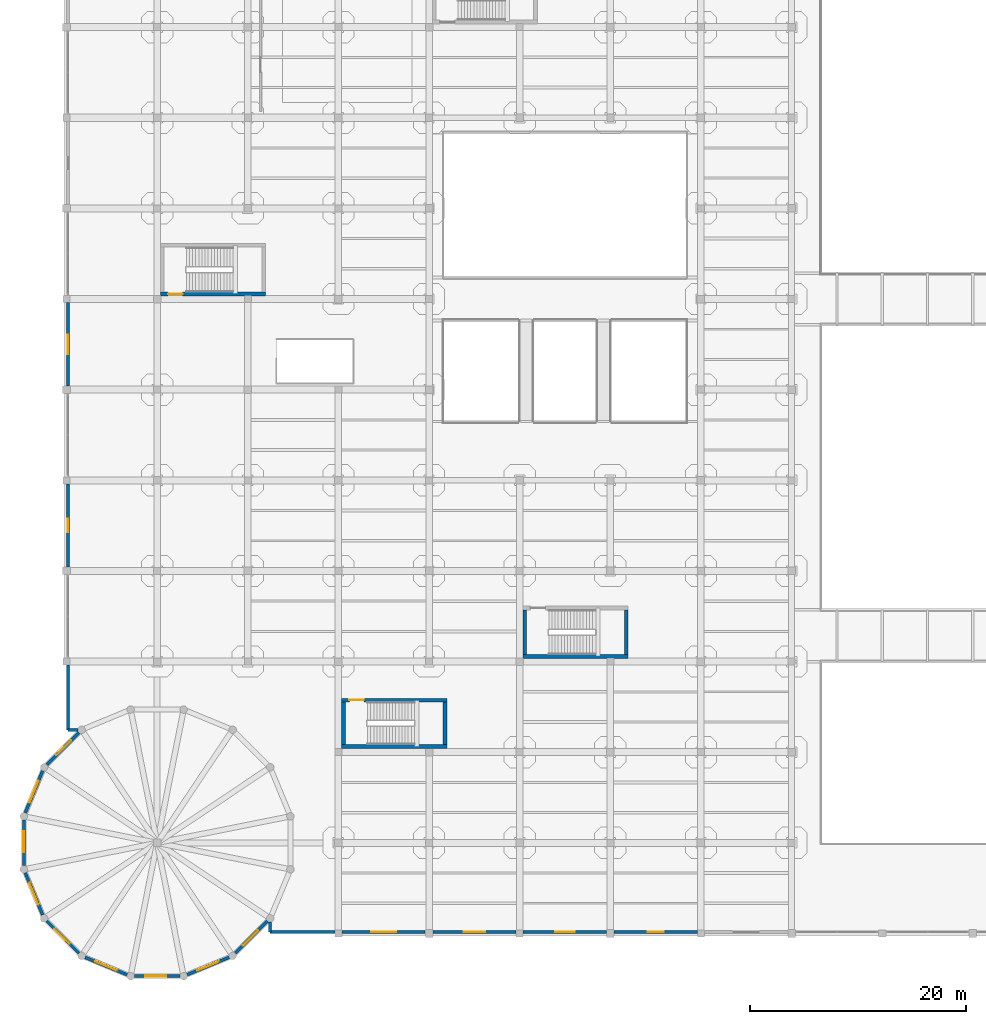
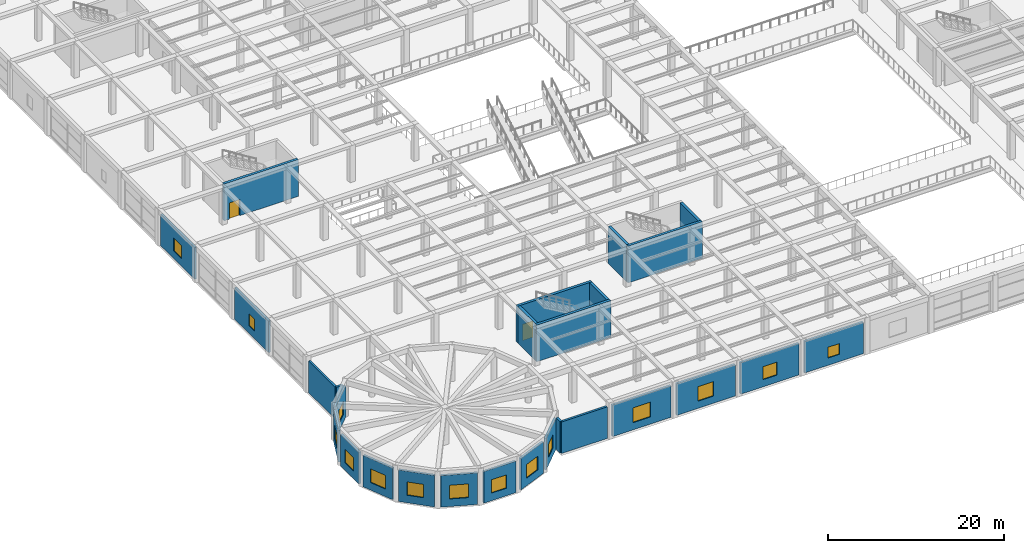
# One storey, part 47 of 65: 27 walls, 15 windows, 2 doors, 17 openings.
"""IFC4 building model written with IfcOpenShell, lengths in metres."""

from ifc_helpers import new_model, si_unit, direction, frame, frame_2d, origin, place, context, subcontext, project, spatial, rectangle, extrude, material, layer, layer_set, type_object, element, fill, save


model = new_model("IFC4")

# Units and contexts
model_context = context("Model", 3, precision=1e-05, world=origin(), true_north=direction((0.0, 1.0)))
body_context = subcontext(model_context, "Body", "Model", "MODEL_VIEW")
ifc_project = project(units=[si_unit("LENGTHUNIT", "METRE"), si_unit("AREAUNIT", "SQUARE_METRE"), si_unit("VOLUMEUNIT", "CUBIC_METRE"), si_unit("PLANEANGLEUNIT", "RADIAN"), si_unit("MASSUNIT", "GRAM", prefix="KILO")], contexts=[model_context])

# Site, building, storey
site_placement = place(None, origin())
site = spatial("IfcSite", under=ifc_project, at=site_placement, CompositionType="ELEMENT")
building_placement = place(site_placement, origin())
building = spatial("IfcBuilding", under=site, at=building_placement, Name="Almacenes y Pasaje Nevantli", CompositionType="ELEMENT")
storey_placement = place(building_placement, frame((0.0, 0.0, 16.800048828125)))
storey = spatial("IfcBuildingStorey", under=building, at=storey_placement, Name="L04", CompositionType="ELEMENT", Elevation=16.800048828125)

# Wall
ifc_material_1 = material(Name="Concrete C45/55", Category="concrete")
ifc_layer_1 = layer(ifc_material_1, 0.35009765625)
ifc_layer_set_1 = layer_set([ifc_layer_1], Name="Concrete C45/55")
wall_type_1 = type_object("IfcWallType", Name="WL-CORE-350", PredefinedType="SHEAR", material=ifc_layer_set_1)
wall_1_placement = place(storey_placement, frame((25.5, 17.324951171875, 0.0), z_axis=(0.0, 0.0, 1.0), x_axis=(1.0, 0.0, 0.0)))
element("IfcWall", 1, at=wall_1_placement, inside=storey, type_object=wall_type_1, Name="L04 Exit Stair ST-04 South Core Shear Wall", PredefinedType="SHEAR", context=body_context, shape_type="SweptSolid", body=[
    extrude(rectangle(XDim=9.75, YDim=0.35009765625, at=frame_2d((4.875, 0.0))), origin(), (0.0, 0.0, 1.0), 5.099853515625),
])

# Wall, opening, door
wall_2_placement = place(storey_placement, frame((25.5, 21.625, 0.0), z_axis=(0.0, 0.0, 1.0), x_axis=(1.0, 0.0, 0.0)))
wall_2 = element("IfcWall", 2, at=wall_2_placement, inside=storey, type_object=wall_type_1, Name="L04 Exit Stair ST-04 North Core Shear Wall", PredefinedType="SHEAR", context=body_context, shape_type="SweptSolid", body=[
    extrude(rectangle(XDim=9.75, YDim=0.35009765625, at=frame_2d((4.875, 0.0))), origin(), (0.0, 0.0, 1.0), 5.099853515625),
])
opening_1_placement = place(wall_2_placement, frame((0.719970703125, 0.0, 0.0)))
opening_1 = element("IfcOpeningElement", 3, at=opening_1_placement, cuts=wall_2, Name="Opening SD-04-L04", PredefinedType="OPENING", context=body_context, shape_type="SweptSolid", body=[
    extrude(rectangle(XDim=1.35009765625, YDim=2.25, at=frame_2d((0.675048828125, 1.125))), frame((0.0, 0.18505859375, 0.0), z_axis=(0.0, -1.0, 0.0), x_axis=(1.0, 0.0, 0.0)), (0.0, 0.0, 1.0), 0.3701171875),
])
ifc_material_2 = material(Name="Galvanized Fire-Rated Steel", Category="steel")
door_type = type_object("IfcDoorType", Name="DR-STAIR-1350R", OperationType="SINGLE_SWING_RIGHT", PredefinedType="DOOR", material=ifc_material_2)
door_1_placement = place(opening_1_placement, origin())
door_1 = element("IfcDoor", 4, at=door_1_placement, inside=storey, type_object=door_type, Name="L04 Smokeproof Exit Stair ST-04 Fire Door", OperationType="SINGLE_SWING_RIGHT", OverallHeight=2.25, OverallWidth=1.35009765625, PredefinedType="DOOR", context=body_context, shape_type="SweptSolid", body=[
    extrude(rectangle(XDim=1.35009765625, YDim=2.25, at=frame_2d((0.675048828125, 1.125))), frame((0.0, 0.02490234375, 0.0), z_axis=(0.0, -1.0, 0.0), x_axis=(1.0, 0.0, 0.0)), (0.0, 0.0, 1.0), 0.050048828125),
])
fill(opening_1, door_1)

# Walls
for number, where, z_axis, x_axis, name in (
    (5, (25.675048828125, 17.5, 0.0), (0.0, 0.0, 1.0), (0.0, 1.0, 0.0), "L04 Exit Stair ST-04 West Core Shear Wall"),
    (6, (35.074951171875, 17.5, 0.0), (0.0, 0.0, 1.0), (0.0, 1.0, 0.0), "L04 Exit Stair ST-04 East Core Shear Wall"),
):
    element("IfcWall", number, at=place(storey_placement, frame(where, z_axis=z_axis, x_axis=x_axis)), inside=storey, type_object=wall_type_1, Name=name, PredefinedType="SHEAR", context=body_context, shape_type="SweptSolid", body=[
        extrude(rectangle(XDim=3.949951171875, YDim=0.35009765625, at=frame_2d((1.97509765625, 0.0))), origin(), (0.0, 0.0, 1.0), 5.099853515625),
    ])

# Wall, opening, door
wall_3_placement = place(storey_placement, frame((8.699951171875, 59.27490234375, 0.0), z_axis=(0.0, 0.0, 1.0), x_axis=(1.0, 0.0, 0.0)))
wall_3 = element("IfcWall", 7, at=wall_3_placement, inside=storey, type_object=wall_type_1, Name="L04 Exit Stair ST-12 South Core Shear Wall", PredefinedType="SHEAR", context=body_context, shape_type="SweptSolid", body=[
    extrude(rectangle(XDim=9.75, YDim=0.35009765625, at=frame_2d((4.875, 0.0))), origin(), (0.0, 0.0, 1.0), 5.099853515625),
])
opening_2_placement = place(wall_3_placement, frame((0.719970703125, 0.0, 0.0)))
opening_2 = element("IfcOpeningElement", 8, at=opening_2_placement, cuts=wall_3, Name="Opening SD-12-L04", PredefinedType="OPENING", context=body_context, shape_type="SweptSolid", body=[
    extrude(rectangle(XDim=1.35009765625, YDim=2.25, at=frame_2d((0.675048828125, 1.125))), frame((0.0, 0.18505859375, 0.0), z_axis=(0.0, -1.0, 0.0), x_axis=(1.0, 0.0, 0.0)), (0.0, 0.0, 1.0), 0.3701171875),
])
door_2_placement = place(opening_2_placement, origin())
door_2 = element("IfcDoor", 9, at=door_2_placement, inside=storey, type_object=door_type, Name="L04 Smokeproof Exit Stair ST-12 Fire Door", OperationType="SINGLE_SWING_RIGHT", OverallHeight=2.25, OverallWidth=1.35009765625, PredefinedType="DOOR", context=body_context, shape_type="SweptSolid", body=[
    extrude(rectangle(XDim=1.35009765625, YDim=2.25, at=frame_2d((0.675048828125, 1.125))), frame((0.0, 0.02490234375, 0.0), z_axis=(0.0, -1.0, 0.0), x_axis=(1.0, 0.0, 0.0)), (0.0, 0.0, 1.0), 0.050048828125),
])
fill(opening_2, door_2)

# Walls
wall_4_placement = place(storey_placement, frame((42.300048828125, 25.675048828125, 0.0), z_axis=(0.0, 0.0, 1.0), x_axis=(1.0, 0.0, 0.0)))
element("IfcWall", 10, at=wall_4_placement, inside=storey, type_object=wall_type_1, Name="L04 Exit Stair ST-14 South Core Shear Wall", PredefinedType="SHEAR", context=body_context, shape_type="SweptSolid", body=[
    extrude(rectangle(XDim=9.75, YDim=0.35009765625, at=frame_2d((4.875, 0.0))), origin(), (0.0, 0.0, 1.0), 5.099853515625),
])
for number, where, z_axis, x_axis, name in (
    (11, (42.47509765625, 25.85009765625, 0.0), (0.0, 0.0, 1.0), (0.0, 1.0, 0.0), "L04 Exit Stair ST-14 West Core Shear Wall"),
    (12, (51.875, 25.85009765625, 0.0), (0.0, 0.0, 1.0), (0.0, 1.0, 0.0), "L04 Exit Stair ST-14 East Core Shear Wall"),
):
    element("IfcWall", number, at=place(storey_placement, frame(where, z_axis=z_axis, x_axis=x_axis)), inside=storey, type_object=wall_type_1, Name=name, PredefinedType="SHEAR", context=body_context, shape_type="SweptSolid", body=[
        extrude(rectangle(XDim=4.14990234375, YDim=0.35009765625, at=frame_2d((2.074951171875, 0.0))), origin(), (0.0, 0.0, 1.0), 5.099853515625),
    ])

# Wall, opening, window
ifc_material_3 = material(Name="Architectural Precast Concrete C35/45 Spandrel Wall", Category="concrete")
ifc_layer_2 = layer(ifc_material_3, 0.280029296875)
ifc_layer_set_2 = layer_set([ifc_layer_2], Name="Architectural Precast Concrete C35/45 Spandrel Wall")
wall_type_2 = type_object("IfcWallType", Name="WL-EXT-CANTERA-280", PredefinedType="SOLIDWALL", material=ifc_layer_set_2)
wall_5_placement = place(storey_placement, frame((25.528076171875, 0.14990234375, 0.0), z_axis=(0.0, 0.0, 1.0), x_axis=(1.0, 0.0, 0.0)))
wall_5 = element("IfcWall", 13, at=wall_5_placement, inside=storey, type_object=wall_type_2, Name="L04 South Retail Spandrel Wall Bay 4", PredefinedType="SOLIDWALL", context=body_context, shape_type="SweptSolid", body=[
    extrude(rectangle(XDim=7.719970703125, YDim=0.280029296875, at=frame_2d((3.85986328125, 0.0))), origin(), (0.0, 0.0, 1.0), 4.3798828125),
])
opening_3_placement = place(wall_5_placement, frame((2.721923828125, 0.0, 1.0)))
opening_3 = element("IfcOpeningElement", 14, at=opening_3_placement, cuts=wall_5, Name="Opening WT-14-145", PredefinedType="OPENING", context=body_context, shape_type="SweptSolid", body=[
    extrude(rectangle(XDim=2.300048828125, YDim=2.050048828125, at=frame_2d((1.14990234375, 1.02490234375))), frame((0.0, 0.14990234375, 0.0), z_axis=(0.0, -1.0, 0.0), x_axis=(1.0, 0.0, 0.0)), (0.0, 0.0, 1.0), 0.300048828125),
])
ifc_material_4 = material(Name="Thermally Broken Aluminium and Low-E Double Glazing", Category="aluminium")
window_type_1 = type_object("IfcWindowType", Name="WN-POD-2300x2050", PartitioningType="SINGLE_PANEL", PredefinedType="WINDOW", material=ifc_material_4)
window_1_placement = place(opening_3_placement, origin())
window_1 = element("IfcWindow", 15, at=window_1_placement, inside=storey, type_object=window_type_1, Name="L04 Exterior Window WT-14 #145", OverallHeight=2.050048828125, OverallWidth=2.300048828125, PartitioningType="SINGLE_PANEL", PredefinedType="WINDOW", context=body_context, shape_type="SweptSolid", body=[
    extrude(rectangle(XDim=2.300048828125, YDim=2.050048828125, at=frame_2d((1.14990234375, 1.02490234375))), frame((0.0, 0.030029296875, 0.0), z_axis=(0.0, -1.0, 0.0), x_axis=(1.0, 0.0, 0.0)), (0.0, 0.0, 1.0), 0.06005859375),
])
fill(opening_3, window_1)

wall_6_placement = place(storey_placement, frame((33.9541015625, 0.14990234375, 0.0), z_axis=(0.0, 0.0, 1.0), x_axis=(1.0, 0.0, 0.0)))
wall_6 = element("IfcWall", 16, at=wall_6_placement, inside=storey, type_object=wall_type_2, Name="L04 South Retail Spandrel Wall Bay 5", PredefinedType="SOLIDWALL", context=body_context, shape_type="SweptSolid", body=[
    extrude(rectangle(XDim=7.718017578125, YDim=0.280029296875, at=frame_2d((3.85888671875, 0.0))), origin(), (0.0, 0.0, 1.0), 4.3798828125),
])
opening_4_placement = place(wall_6_placement, frame((2.845947265625, 0.0, 1.0)))
opening_4 = element("IfcOpeningElement", 17, at=opening_4_placement, cuts=wall_6, Name="Opening WT-15-146", PredefinedType="OPENING", context=body_context, shape_type="SweptSolid", body=[
    extrude(rectangle(XDim=2.0, YDim=2.0, at=frame_2d((1.0, 1.0))), frame((0.0, 0.14990234375, 0.0), z_axis=(0.0, -1.0, 0.0), x_axis=(1.0, 0.0, 0.0)), (0.0, 0.0, 1.0), 0.300048828125),
])
ifc_material_5 = material(Name="Thermally Broken Aluminium and Low-E Double Glazing", Category="aluminium")
window_type_2 = type_object("IfcWindowType", Name="WN-POD-2000x2000", PartitioningType="SINGLE_PANEL", PredefinedType="WINDOW", material=ifc_material_5)
window_2_placement = place(opening_4_placement, origin())
window_2 = element("IfcWindow", 18, at=window_2_placement, inside=storey, type_object=window_type_2, Name="L04 Exterior Window WT-15 #146", OverallHeight=2.0, OverallWidth=2.0, PartitioningType="SINGLE_PANEL", PredefinedType="WINDOW", context=body_context, shape_type="SweptSolid", body=[
    extrude(rectangle(XDim=2.0, YDim=2.0, at=frame_2d((1.0, 1.0))), frame((0.0, 0.030029296875, 0.0), z_axis=(0.0, -1.0, 0.0), x_axis=(1.0, 0.0, 0.0)), (0.0, 0.0, 1.0), 0.06005859375),
])
fill(opening_4, window_2)

wall_7_placement = place(storey_placement, frame((42.327880859375, 0.14990234375, 0.0), z_axis=(0.0, 0.0, 1.0), x_axis=(1.0, 0.0, 0.0)))
wall_7 = element("IfcWall", 19, at=wall_7_placement, inside=storey, type_object=wall_type_2, Name="L04 South Retail Spandrel Wall Bay 6", PredefinedType="SOLIDWALL", context=body_context, shape_type="SweptSolid", body=[
    extrude(rectangle(XDim=7.718017578125, YDim=0.280029296875, at=frame_2d((3.85888671875, 0.0))), origin(), (0.0, 0.0, 1.0), 4.3798828125),
])
opening_5_placement = place(wall_7_placement, frame((2.971923828125, 0.0, 1.0)))
opening_5 = element("IfcOpeningElement", 20, at=opening_5_placement, cuts=wall_7, Name="Opening WT-07-147", PredefinedType="OPENING", context=body_context, shape_type="SweptSolid", body=[
    extrude(rectangle(XDim=1.800048828125, YDim=1.800048828125, at=frame_2d((0.89990234375, 0.89990234375))), frame((0.0, 0.14990234375, 0.0), z_axis=(0.0, -1.0, 0.0), x_axis=(1.0, 0.0, 0.0)), (0.0, 0.0, 1.0), 0.300048828125),
])
ifc_material_6 = material(Name="Thermally Broken Aluminium and Low-E Double Glazing", Category="aluminium")
window_type_3 = type_object("IfcWindowType", Name="WN-OCU-1800", PartitioningType="SINGLE_PANEL", PredefinedType="WINDOW", material=ifc_material_6)
window_3_placement = place(opening_5_placement, origin())
window_3 = element("IfcWindow", 21, at=window_3_placement, inside=storey, type_object=window_type_3, Name="L04 Exterior Window WT-07 #147", OverallHeight=1.800048828125, OverallWidth=1.800048828125, PartitioningType="SINGLE_PANEL", PredefinedType="WINDOW", context=body_context, shape_type="SweptSolid", body=[
    extrude(rectangle(XDim=1.800048828125, YDim=1.800048828125, at=frame_2d((0.89990234375, 0.89990234375))), frame((0.0, 0.030029296875, 0.0), z_axis=(0.0, -1.0, 0.0), x_axis=(1.0, 0.0, 0.0)), (0.0, 0.0, 1.0), 0.06005859375),
])
fill(opening_5, window_3)

wall_8_placement = place(storey_placement, frame((50.751953125, 0.14990234375, 0.0), z_axis=(0.0, 0.0, 1.0), x_axis=(1.0, 0.0, 0.0)))
wall_8 = element("IfcWall", 22, at=wall_8_placement, inside=storey, type_object=wall_type_2, Name="L04 South Retail Spandrel Wall Bay 7", PredefinedType="SOLIDWALL", context=body_context, shape_type="SweptSolid", body=[
    extrude(rectangle(XDim=7.719970703125, YDim=0.280029296875, at=frame_2d((3.85986328125, 0.0))), origin(), (0.0, 0.0, 1.0), 4.3798828125),
])
opening_6_placement = place(wall_8_placement, frame((3.097900390625, 0.0, 1.0)))
opening_6 = element("IfcOpeningElement", 23, at=opening_6_placement, cuts=wall_8, Name="Opening WT-08-148", PredefinedType="OPENING", context=body_context, shape_type="SweptSolid", body=[
    extrude(rectangle(XDim=1.5, YDim=1.5, at=frame_2d((0.75, 0.75))), frame((0.0, 0.14990234375, 0.0), z_axis=(0.0, -1.0, 0.0), x_axis=(1.0, 0.0, 0.0)), (0.0, 0.0, 1.0), 0.300048828125),
])
ifc_material_7 = material(Name="Thermally Broken Aluminium and Low-E Double Glazing", Category="aluminium")
window_type_4 = type_object("IfcWindowType", Name="WN-OCU-1500", PartitioningType="SINGLE_PANEL", PredefinedType="WINDOW", material=ifc_material_7)
window_4_placement = place(opening_6_placement, origin())
window_4 = element("IfcWindow", 24, at=window_4_placement, inside=storey, type_object=window_type_4, Name="L04 Exterior Window WT-08 #148", OverallHeight=1.5, OverallWidth=1.5, PartitioningType="SINGLE_PANEL", PredefinedType="WINDOW", context=body_context, shape_type="SweptSolid", body=[
    extrude(rectangle(XDim=1.5, YDim=1.5, at=frame_2d((0.75, 0.75))), frame((0.0, 0.030029296875, 0.0), z_axis=(0.0, -1.0, 0.0), x_axis=(1.0, 0.0, 0.0)), (0.0, 0.0, 1.0), 0.06005859375),
])
fill(opening_6, window_4)

wall_9_placement = place(storey_placement, frame((0.14990234375, 33.9541015625, 0.0), z_axis=(0.0, 0.0, 1.0), x_axis=(0.0, 1.0, 0.0)))
wall_9 = element("IfcWall", 25, at=wall_9_placement, inside=storey, type_object=wall_type_2, Name="L04 West Avenue Cantera Wall Bay 5", PredefinedType="SOLIDWALL", context=body_context, shape_type="SweptSolid", body=[
    extrude(rectangle(XDim=7.718017578125, YDim=0.280029296875, at=frame_2d((3.85888671875, 0.0))), origin(), (0.0, 0.0, 1.0), 4.3798828125),
])
opening_7_placement = place(wall_9_placement, frame((3.220947265625, 0.0, 1.050048828125)))
opening_7 = element("IfcOpeningElement", 26, at=opening_7_placement, cuts=wall_9, Name="Opening WT-18-159", PredefinedType="OPENING", context=body_context, shape_type="SweptSolid", body=[
    extrude(rectangle(XDim=1.25, YDim=1.64990234375, at=frame_2d((0.625, 0.824951171875))), frame((0.0, 0.14990234375, 0.0), z_axis=(0.0, -1.0, 0.0), x_axis=(1.0, 0.0, 0.0)), (0.0, 0.0, 1.0), 0.300048828125),
])
ifc_material_8 = material(Name="Thermally Broken Aluminium and Low-E Double Glazing", Category="aluminium")
window_type_5 = type_object("IfcWindowType", Name="WN-POD-1250x1650", PartitioningType="SINGLE_PANEL", PredefinedType="WINDOW", material=ifc_material_8)
window_5_placement = place(opening_7_placement, origin())
window_5 = element("IfcWindow", 27, at=window_5_placement, inside=storey, type_object=window_type_5, Name="L04 Exterior Window WT-18 #159", OverallHeight=1.64990234375, OverallWidth=1.25, PartitioningType="SINGLE_PANEL", PredefinedType="WINDOW", context=body_context, shape_type="SweptSolid", body=[
    extrude(rectangle(XDim=1.25, YDim=1.64990234375, at=frame_2d((0.625, 0.824951171875))), frame((0.0, 0.030029296875, 0.0), z_axis=(0.0, -1.0, 0.0), x_axis=(1.0, 0.0, 0.0)), (0.0, 0.0, 1.0), 0.06005859375),
])
fill(opening_7, window_5)

wall_10_placement = place(storey_placement, frame((0.14990234375, 50.751953125, 0.0), z_axis=(0.0, 0.0, 1.0), x_axis=(0.0, 1.0, 0.0)))
wall_10 = element("IfcWall", 28, at=wall_10_placement, inside=storey, type_object=wall_type_2, Name="L04 West Avenue Cantera Wall Bay 7", PredefinedType="SOLIDWALL", context=body_context, shape_type="SweptSolid", body=[
    extrude(rectangle(XDim=7.719970703125, YDim=0.280029296875, at=frame_2d((3.85986328125, 0.0))), origin(), (0.0, 0.0, 1.0), 4.3798828125),
])
opening_8_placement = place(wall_10_placement, frame((2.947998046875, 0.0, 1.050048828125)))
opening_8 = element("IfcOpeningElement", 29, at=opening_8_placement, cuts=wall_10, Name="Opening WT-07-160", PredefinedType="OPENING", context=body_context, shape_type="SweptSolid", body=[
    extrude(rectangle(XDim=1.800048828125, YDim=1.800048828125, at=frame_2d((0.89990234375, 0.89990234375))), frame((0.0, 0.14990234375, 0.0), z_axis=(0.0, -1.0, 0.0), x_axis=(1.0, 0.0, 0.0)), (0.0, 0.0, 1.0), 0.300048828125),
])
window_6_placement = place(opening_8_placement, origin())
window_6 = element("IfcWindow", 30, at=window_6_placement, inside=storey, type_object=window_type_3, Name="L04 Exterior Window WT-07 #160", OverallHeight=1.800048828125, OverallWidth=1.800048828125, PartitioningType="SINGLE_PANEL", PredefinedType="WINDOW", context=body_context, shape_type="SweptSolid", body=[
    extrude(rectangle(XDim=1.800048828125, YDim=1.800048828125, at=frame_2d((0.89990234375, 0.89990234375))), frame((0.0, 0.030029296875, 0.0), z_axis=(0.0, -1.0, 0.0), x_axis=(1.0, 0.0, 0.0)), (0.0, 0.0, 1.0), 0.06005859375),
])
fill(opening_8, window_6)

wall_11_placement = place(storey_placement, frame((1.15087890625, 18.627685546875, 0.0), z_axis=(0.0, 0.0, 1.0), x_axis=(-0.707106781187, -0.707106781187, 0.0)))
wall_11 = element("IfcWall", 31, at=wall_11_placement, inside=storey, type_object=wall_type_2, Name="L04 Corner Rotunda Cantera Drum Facet #6", PredefinedType="SOLIDWALL", context=body_context, shape_type="SweptSolid", body=[
    extrude(rectangle(XDim=4.212158203125, YDim=0.280029296875, at=frame_2d((2.10595703125, 0.0))), origin(), (0.0, 0.0, 1.0), 4.3798828125),
])
opening_9_placement = place(wall_11_placement, frame((1.01806640625, 0.0, 1.050048828125)))
opening_9 = element("IfcOpeningElement", 32, at=opening_9_placement, cuts=wall_11, Name="Opening WT-37-174", PredefinedType="OPENING", context=body_context, shape_type="SweptSolid", body=[
    extrude(rectangle(XDim=1.949951171875, YDim=1.85009765625, at=frame_2d((0.97509765625, 0.925048828125))), frame((0.0, 0.14990234375, 0.0), z_axis=(0.0, -1.0, 0.0), x_axis=(1.0, 0.0, 0.0)), (0.0, 0.0, 1.0), 0.300048828125),
])
ifc_material_9 = material(Name="Thermally Broken Aluminium and Low-E Double Glazing", Category="aluminium")
window_type_6 = type_object("IfcWindowType", Name="WN-ROT-1950x1850", PartitioningType="SINGLE_PANEL", PredefinedType="WINDOW", material=ifc_material_9)
window_7_placement = place(opening_9_placement, origin())
window_7 = element("IfcWindow", 33, at=window_7_placement, inside=storey, type_object=window_type_6, Name="L04 Exterior Window WT-37 #174", OverallHeight=1.85009765625, OverallWidth=1.949951171875, PartitioningType="SINGLE_PANEL", PredefinedType="WINDOW", context=body_context, shape_type="SweptSolid", body=[
    extrude(rectangle(XDim=1.949951171875, YDim=1.85009765625, at=frame_2d((0.97509765625, 0.925048828125))), frame((0.0, 0.030029296875, 0.0), z_axis=(0.0, -1.0, 0.0), x_axis=(1.0, 0.0, 0.0)), (0.0, 0.0, 1.0), 0.06005859375),
])
fill(opening_9, window_7)

wall_12_placement = place(storey_placement, frame((-2.2119140625, 15.0732421875, 0.0), z_axis=(0.0, 0.0, 1.0), x_axis=(-0.382700027893, -0.923872658244, 0.0)))
wall_12 = element("IfcWall", 34, at=wall_12_placement, inside=storey, type_object=wall_type_2, Name="L04 Corner Rotunda Cantera Drum Facet #7", PredefinedType="SOLIDWALL", context=body_context, shape_type="SweptSolid", body=[
    extrude(rectangle(XDim=4.21044921875, YDim=0.280029296875, at=frame_2d((2.105224609375, 0.0))), origin(), (0.0, 0.0, 1.0), 4.3798828125),
])
opening_10_placement = place(wall_12_placement, frame((1.01611328125, 0.0, 1.050048828125)))
opening_10 = element("IfcOpeningElement", 35, at=opening_10_placement, cuts=wall_12, Name="Opening WT-36-175", PredefinedType="OPENING", context=body_context, shape_type="SweptSolid", body=[
    extrude(rectangle(XDim=2.14990234375, YDim=1.89990234375, at=frame_2d((1.074951171875, 0.949951171875))), frame((0.0, 0.14990234375, 0.0), z_axis=(0.0, -1.0, 0.0), x_axis=(1.0, 0.0, 0.0)), (0.0, 0.0, 1.0), 0.300048828125),
])
ifc_material_10 = material(Name="Thermally Broken Aluminium and Low-E Double Glazing", Category="aluminium")
window_type_7 = type_object("IfcWindowType", Name="WN-ROT-2150x1900", PartitioningType="SINGLE_PANEL", PredefinedType="WINDOW", material=ifc_material_10)
window_8_placement = place(opening_10_placement, origin())
window_8 = element("IfcWindow", 36, at=window_8_placement, inside=storey, type_object=window_type_7, Name="L04 Exterior Window WT-36 #175", OverallHeight=1.89990234375, OverallWidth=2.14990234375, PartitioningType="SINGLE_PANEL", PredefinedType="WINDOW", context=body_context, shape_type="SweptSolid", body=[
    extrude(rectangle(XDim=2.14990234375, YDim=1.89990234375, at=frame_2d((1.074951171875, 0.949951171875))), frame((0.0, 0.030029296875, 0.0), z_axis=(0.0, -1.0, 0.0), x_axis=(1.0, 0.0, 0.0)), (0.0, 0.0, 1.0), 0.06005859375),
])
fill(opening_10, window_8)

wall_13_placement = place(storey_placement, frame((-3.9580078125, 10.506103515625, 0.0), z_axis=(0.0, 0.0, 1.0), x_axis=(0.0, -1.0, 0.0)))
wall_13 = element("IfcWall", 37, at=wall_13_placement, inside=storey, type_object=wall_type_2, Name="L04 Corner Rotunda Cantera Drum Facet #8", PredefinedType="SOLIDWALL", context=body_context, shape_type="SweptSolid", body=[
    extrude(rectangle(XDim=4.212158203125, YDim=0.280029296875, at=frame_2d((2.10595703125, 0.0))), origin(), (0.0, 0.0, 1.0), 4.3798828125),
])
opening_11_placement = place(wall_13_placement, frame((1.01806640625, 0.0, 1.050048828125)))
opening_11 = element("IfcOpeningElement", 38, at=opening_11_placement, cuts=wall_13, Name="Opening WT-37-176", PredefinedType="OPENING", context=body_context, shape_type="SweptSolid", body=[
    extrude(rectangle(XDim=1.949951171875, YDim=1.85009765625, at=frame_2d((0.97509765625, 0.925048828125))), frame((0.0, 0.14990234375, 0.0), z_axis=(0.0, -1.0, 0.0), x_axis=(1.0, 0.0, 0.0)), (0.0, 0.0, 1.0), 0.300048828125),
])
window_9_placement = place(opening_11_placement, origin())
window_9 = element("IfcWindow", 39, at=window_9_placement, inside=storey, type_object=window_type_6, Name="L04 Exterior Window WT-37 #176", OverallHeight=1.85009765625, OverallWidth=1.949951171875, PartitioningType="SINGLE_PANEL", PredefinedType="WINDOW", context=body_context, shape_type="SweptSolid", body=[
    extrude(rectangle(XDim=1.949951171875, YDim=1.85009765625, at=frame_2d((0.97509765625, 0.925048828125))), frame((0.0, 0.030029296875, 0.0), z_axis=(0.0, -1.0, 0.0), x_axis=(1.0, 0.0, 0.0)), (0.0, 0.0, 1.0), 0.06005859375),
])
fill(opening_11, window_9)

wall_14_placement = place(storey_placement, frame((-3.8232421875, 5.61669921875, 0.0), z_axis=(0.0, 0.0, 1.0), x_axis=(0.382700027893, -0.923872658244, 0.0)))
wall_14 = element("IfcWall", 40, at=wall_14_placement, inside=storey, type_object=wall_type_2, Name="L04 Corner Rotunda Cantera Drum Facet #9", PredefinedType="SOLIDWALL", context=body_context, shape_type="SweptSolid", body=[
    extrude(rectangle(XDim=4.21044921875, YDim=0.280029296875, at=frame_2d((2.105224609375, 0.0))), origin(), (0.0, 0.0, 1.0), 4.3798828125),
])
opening_12_placement = place(wall_14_placement, frame((1.01806640625, 0.0, 1.050048828125)))
opening_12 = element("IfcOpeningElement", 41, at=opening_12_placement, cuts=wall_14, Name="Opening WT-36-177", PredefinedType="OPENING", context=body_context, shape_type="SweptSolid", body=[
    extrude(rectangle(XDim=2.14990234375, YDim=1.89990234375, at=frame_2d((1.074951171875, 0.949951171875))), frame((0.0, 0.14990234375, 0.0), z_axis=(0.0, -1.0, 0.0), x_axis=(1.0, 0.0, 0.0)), (0.0, 0.0, 1.0), 0.300048828125),
])
window_10_placement = place(opening_12_placement, origin())
window_10 = element("IfcWindow", 42, at=window_10_placement, inside=storey, type_object=window_type_7, Name="L04 Exterior Window WT-36 #177", OverallHeight=1.89990234375, OverallWidth=2.14990234375, PartitioningType="SINGLE_PANEL", PredefinedType="WINDOW", context=body_context, shape_type="SweptSolid", body=[
    extrude(rectangle(XDim=2.14990234375, YDim=1.89990234375, at=frame_2d((1.074951171875, 0.949951171875))), frame((0.0, 0.030029296875, 0.0), z_axis=(0.0, -1.0, 0.0), x_axis=(1.0, 0.0, 0.0)), (0.0, 0.0, 1.0), 0.06005859375),
])
fill(opening_12, window_10)

wall_15_placement = place(storey_placement, frame((-1.82763671875, 1.15087890625, 0.0), z_axis=(0.0, 0.0, 1.0), x_axis=(0.707106781187, -0.707106781187, 0.0)))
wall_15 = element("IfcWall", 43, at=wall_15_placement, inside=storey, type_object=wall_type_2, Name="L04 Corner Rotunda Cantera Drum Facet #10", PredefinedType="SOLIDWALL", context=body_context, shape_type="SweptSolid", body=[
    extrude(rectangle(XDim=4.212158203125, YDim=0.280029296875, at=frame_2d((2.10595703125, 0.0))), origin(), (0.0, 0.0, 1.0), 4.3798828125),
])
opening_13_placement = place(wall_15_placement, frame((1.01806640625, 0.0, 1.050048828125)))
opening_13 = element("IfcOpeningElement", 44, at=opening_13_placement, cuts=wall_15, Name="Opening WT-37-178", PredefinedType="OPENING", context=body_context, shape_type="SweptSolid", body=[
    extrude(rectangle(XDim=1.949951171875, YDim=1.85009765625, at=frame_2d((0.97509765625, 0.925048828125))), frame((0.0, 0.14990234375, 0.0), z_axis=(0.0, -1.0, 0.0), x_axis=(1.0, 0.0, 0.0)), (0.0, 0.0, 1.0), 0.300048828125),
])
window_11_placement = place(opening_13_placement, origin())
window_11 = element("IfcWindow", 45, at=window_11_placement, inside=storey, type_object=window_type_6, Name="L04 Exterior Window WT-37 #178", OverallHeight=1.85009765625, OverallWidth=1.949951171875, PartitioningType="SINGLE_PANEL", PredefinedType="WINDOW", context=body_context, shape_type="SweptSolid", body=[
    extrude(rectangle(XDim=1.949951171875, YDim=1.85009765625, at=frame_2d((0.97509765625, 0.925048828125))), frame((0.0, 0.030029296875, 0.0), z_axis=(0.0, -1.0, 0.0), x_axis=(1.0, 0.0, 0.0)), (0.0, 0.0, 1.0), 0.06005859375),
])
fill(opening_13, window_11)

wall_16_placement = place(storey_placement, frame((1.726806640625, -2.2119140625, 0.0), z_axis=(0.0, 0.0, 1.0), x_axis=(0.923872658244, -0.382700027893, 0.0)))
wall_16 = element("IfcWall", 46, at=wall_16_placement, inside=storey, type_object=wall_type_2, Name="L04 Corner Rotunda Cantera Drum Facet #11", PredefinedType="SOLIDWALL", context=body_context, shape_type="SweptSolid", body=[
    extrude(rectangle(XDim=4.21044921875, YDim=0.280029296875, at=frame_2d((2.105224609375, 0.0))), origin(), (0.0, 0.0, 1.0), 4.3798828125),
])
opening_14_placement = place(wall_16_placement, frame((1.01611328125, 0.0, 1.050048828125)))
opening_14 = element("IfcOpeningElement", 47, at=opening_14_placement, cuts=wall_16, Name="Opening WT-36-179", PredefinedType="OPENING", context=body_context, shape_type="SweptSolid", body=[
    extrude(rectangle(XDim=2.14990234375, YDim=1.89990234375, at=frame_2d((1.074951171875, 0.949951171875))), frame((0.0, 0.14990234375, 0.0), z_axis=(0.0, -1.0, 0.0), x_axis=(1.0, 0.0, 0.0)), (0.0, 0.0, 1.0), 0.300048828125),
])
window_12_placement = place(opening_14_placement, origin())
window_12 = element("IfcWindow", 48, at=window_12_placement, inside=storey, type_object=window_type_7, Name="L04 Exterior Window WT-36 #179", OverallHeight=1.89990234375, OverallWidth=2.14990234375, PartitioningType="SINGLE_PANEL", PredefinedType="WINDOW", context=body_context, shape_type="SweptSolid", body=[
    extrude(rectangle(XDim=2.14990234375, YDim=1.89990234375, at=frame_2d((1.074951171875, 0.949951171875))), frame((0.0, 0.030029296875, 0.0), z_axis=(0.0, -1.0, 0.0), x_axis=(1.0, 0.0, 0.0)), (0.0, 0.0, 1.0), 0.06005859375),
])
fill(opening_14, window_12)

wall_17_placement = place(storey_placement, frame((6.2939453125, -3.9580078125, 0.0), z_axis=(0.0, 0.0, 1.0), x_axis=(1.0, 0.0, 0.0)))
wall_17 = element("IfcWall", 49, at=wall_17_placement, inside=storey, type_object=wall_type_2, Name="L04 Corner Rotunda Cantera Drum Facet #12", PredefinedType="SOLIDWALL", context=body_context, shape_type="SweptSolid", body=[
    extrude(rectangle(XDim=4.212158203125, YDim=0.280029296875, at=frame_2d((2.10595703125, 0.0))), origin(), (0.0, 0.0, 1.0), 4.3798828125),
])
opening_15_placement = place(wall_17_placement, frame((1.01806640625, 0.0, 1.050048828125)))
opening_15 = element("IfcOpeningElement", 50, at=opening_15_placement, cuts=wall_17, Name="Opening WT-37-180", PredefinedType="OPENING", context=body_context, shape_type="SweptSolid", body=[
    extrude(rectangle(XDim=1.949951171875, YDim=1.85009765625, at=frame_2d((0.97509765625, 0.925048828125))), frame((0.0, 0.14990234375, 0.0), z_axis=(0.0, -1.0, 0.0), x_axis=(1.0, 0.0, 0.0)), (0.0, 0.0, 1.0), 0.300048828125),
])
window_13_placement = place(opening_15_placement, origin())
window_13 = element("IfcWindow", 51, at=window_13_placement, inside=storey, type_object=window_type_6, Name="L04 Exterior Window WT-37 #180", OverallHeight=1.85009765625, OverallWidth=1.949951171875, PartitioningType="SINGLE_PANEL", PredefinedType="WINDOW", context=body_context, shape_type="SweptSolid", body=[
    extrude(rectangle(XDim=1.949951171875, YDim=1.85009765625, at=frame_2d((0.97509765625, 0.925048828125))), frame((0.0, 0.030029296875, 0.0), z_axis=(0.0, -1.0, 0.0), x_axis=(1.0, 0.0, 0.0)), (0.0, 0.0, 1.0), 0.06005859375),
])
fill(opening_15, window_13)

wall_18_placement = place(storey_placement, frame((11.183349609375, -3.8232421875, 0.0), z_axis=(0.0, 0.0, 1.0), x_axis=(0.923872658244, 0.382700027893, 0.0)))
wall_18 = element("IfcWall", 52, at=wall_18_placement, inside=storey, type_object=wall_type_2, Name="L04 Corner Rotunda Cantera Drum Facet #13", PredefinedType="SOLIDWALL", context=body_context, shape_type="SweptSolid", body=[
    extrude(rectangle(XDim=4.21044921875, YDim=0.280029296875, at=frame_2d((2.105224609375, 0.0))), origin(), (0.0, 0.0, 1.0), 4.3798828125),
])
opening_16_placement = place(wall_18_placement, frame((1.01806640625, 0.0, 1.050048828125)))
opening_16 = element("IfcOpeningElement", 53, at=opening_16_placement, cuts=wall_18, Name="Opening WT-36-181", PredefinedType="OPENING", context=body_context, shape_type="SweptSolid", body=[
    extrude(rectangle(XDim=2.14990234375, YDim=1.89990234375, at=frame_2d((1.074951171875, 0.949951171875))), frame((0.0, 0.14990234375, 0.0), z_axis=(0.0, -1.0, 0.0), x_axis=(1.0, 0.0, 0.0)), (0.0, 0.0, 1.0), 0.300048828125),
])
window_14_placement = place(opening_16_placement, origin())
window_14 = element("IfcWindow", 54, at=window_14_placement, inside=storey, type_object=window_type_7, Name="L04 Exterior Window WT-36 #181", OverallHeight=1.89990234375, OverallWidth=2.14990234375, PartitioningType="SINGLE_PANEL", PredefinedType="WINDOW", context=body_context, shape_type="SweptSolid", body=[
    extrude(rectangle(XDim=2.14990234375, YDim=1.89990234375, at=frame_2d((1.074951171875, 0.949951171875))), frame((0.0, 0.030029296875, 0.0), z_axis=(0.0, -1.0, 0.0), x_axis=(1.0, 0.0, 0.0)), (0.0, 0.0, 1.0), 0.06005859375),
])
fill(opening_16, window_14)

wall_19_placement = place(storey_placement, frame((15.649169921875, -1.82763671875, 0.0), z_axis=(0.0, 0.0, 1.0), x_axis=(0.707106781187, 0.707106781187, 0.0)))
wall_19 = element("IfcWall", 55, at=wall_19_placement, inside=storey, type_object=wall_type_2, Name="L04 Corner Rotunda Cantera Drum Facet #14", PredefinedType="SOLIDWALL", context=body_context, shape_type="SweptSolid", body=[
    extrude(rectangle(XDim=4.212158203125, YDim=0.280029296875, at=frame_2d((2.10595703125, 0.0))), origin(), (0.0, 0.0, 1.0), 4.3798828125),
])
opening_17_placement = place(wall_19_placement, frame((1.01806640625, 0.0, 1.050048828125)))
opening_17 = element("IfcOpeningElement", 56, at=opening_17_placement, cuts=wall_19, Name="Opening WT-37-182", PredefinedType="OPENING", context=body_context, shape_type="SweptSolid", body=[
    extrude(rectangle(XDim=1.949951171875, YDim=1.85009765625, at=frame_2d((0.97509765625, 0.925048828125))), frame((0.0, 0.14990234375, 0.0), z_axis=(0.0, -1.0, 0.0), x_axis=(1.0, 0.0, 0.0)), (0.0, 0.0, 1.0), 0.300048828125),
])
window_15_placement = place(opening_17_placement, origin())
window_15 = element("IfcWindow", 57, at=window_15_placement, inside=storey, type_object=window_type_6, Name="L04 Exterior Window WT-37 #182", OverallHeight=1.85009765625, OverallWidth=1.949951171875, PartitioningType="SINGLE_PANEL", PredefinedType="WINDOW", context=body_context, shape_type="SweptSolid", body=[
    extrude(rectangle(XDim=1.949951171875, YDim=1.85009765625, at=frame_2d((0.97509765625, 0.925048828125))), frame((0.0, 0.030029296875, 0.0), z_axis=(0.0, -1.0, 0.0), x_axis=(1.0, 0.0, 0.0)), (0.0, 0.0, 1.0), 0.06005859375),
])
fill(opening_17, window_15)

# Walls
wall_20_placement = place(storey_placement, frame((0.14990234375, 18.8798828125, 0.0), z_axis=(0.0, 0.0, 1.0), x_axis=(0.0, 1.0, 0.0)))
element("IfcWall", 58, at=wall_20_placement, inside=storey, type_object=wall_type_2, Name="L04 Rotunda-to-West Facade Closure Wall", PredefinedType="SOLIDWALL", context=body_context, shape_type="SweptSolid", body=[
    extrude(rectangle(XDim=5.9921875, YDim=0.280029296875, at=frame_2d((2.99609375, 0.0))), origin(), (0.0, 0.0, 1.0), 4.3798828125),
])
wall_21_placement = place(storey_placement, frame((0.14990234375, 18.8798828125, 0.0), z_axis=(0.0, 0.0, 1.0), x_axis=(1.0, 0.0, 0.0)))
element("IfcWall", 59, at=wall_21_placement, inside=storey, type_object=wall_type_2, Name="L04 Rotunda-to-West Corner Return Wall", PredefinedType="SOLIDWALL", context=body_context, shape_type="SweptSolid", body=[
    extrude(rectangle(XDim=0.89599609375, YDim=0.280029296875, at=frame_2d((0.447998046875, 0.0))), origin(), (0.0, 0.0, 1.0), 4.3798828125),
])
wall_22_placement = place(storey_placement, frame((18.8798828125, 0.14990234375, 0.0), z_axis=(0.0, 0.0, 1.0), x_axis=(1.0, 0.0, 0.0)))
element("IfcWall", 60, at=wall_22_placement, inside=storey, type_object=wall_type_2, Name="L04 Rotunda-to-South Facade Closure Wall", PredefinedType="SOLIDWALL", context=body_context, shape_type="SweptSolid", body=[
    extrude(rectangle(XDim=5.9921875, YDim=0.280029296875, at=frame_2d((2.99609375, 0.0))), origin(), (0.0, 0.0, 1.0), 4.3798828125),
])
wall_23_placement = place(storey_placement, frame((18.8798828125, 0.14990234375, 0.0), z_axis=(0.0, 0.0, 1.0), x_axis=(0.0, 1.0, 0.0)))
element("IfcWall", 61, at=wall_23_placement, inside=storey, type_object=wall_type_2, Name="L04 Rotunda-to-South Corner Return Wall", PredefinedType="SOLIDWALL", context=body_context, shape_type="SweptSolid", body=[
    extrude(rectangle(XDim=0.89599609375, YDim=0.280029296875, at=frame_2d((0.447998046875, 0.0))), origin(), (0.0, 0.0, 1.0), 4.3798828125),
])

save(model, "model.ifc")
